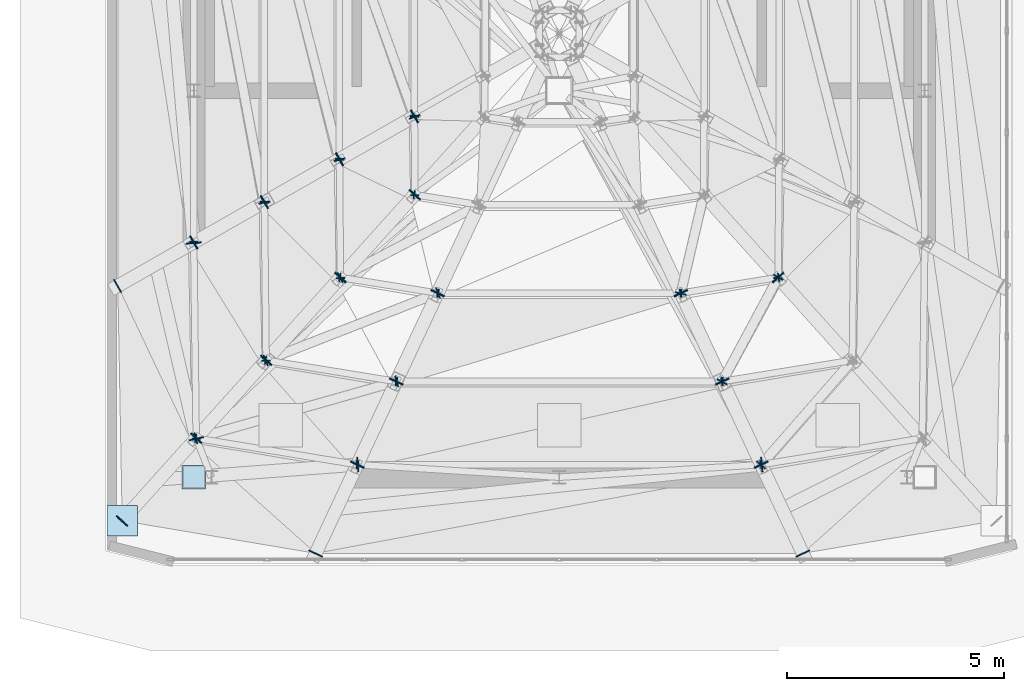
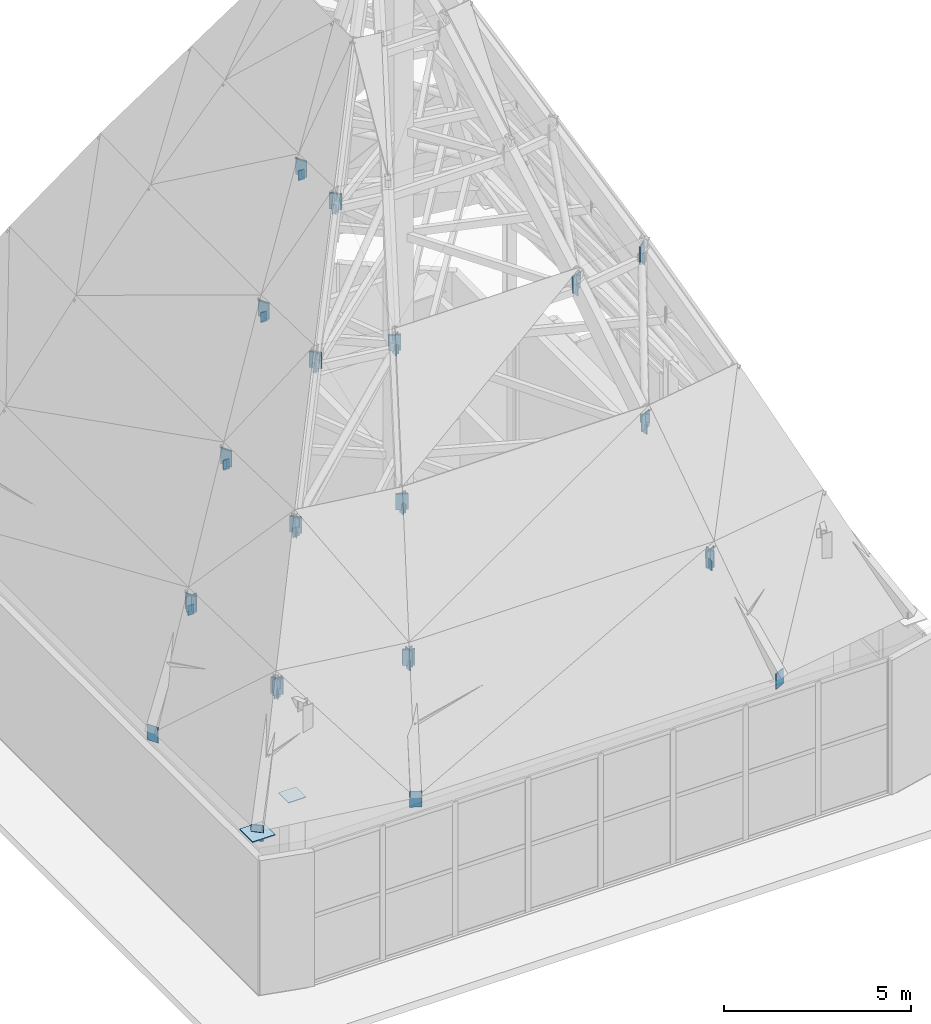
# One storey, part 20 of 30: 82 plates.
"""IFC4 building model written with IfcOpenShell, lengths in metres."""

from ifc_helpers import new_model, si_unit, direction, frame, origin, origin_2d, place, context, subcontext, project, spatial, rectangle, extrude, material, layer, layer_set, type_object, element, save


model = new_model("IFC4")

# Units and contexts
model_context = context("Model", 3, precision=1e-05, world=origin(), true_north=direction((0.0, 1.0)))
body_context = subcontext(model_context, "Body", "Model", "MODEL_VIEW")
ifc_project = project(units=[si_unit("LENGTHUNIT", "METRE"), si_unit("AREAUNIT", "SQUARE_METRE"), si_unit("VOLUMEUNIT", "CUBIC_METRE"), si_unit("PLANEANGLEUNIT", "RADIAN"), si_unit("MASSUNIT", "GRAM", prefix="KILO")], contexts=[model_context])

# Site, building, storey
site_placement = place(None, origin())
site = spatial("IfcSite", under=ifc_project, at=site_placement, CompositionType="ELEMENT")
building_placement = place(site_placement, origin())
building = spatial("IfcBuilding", under=site, at=building_placement, Name="Haolan Belvedere Tower", CompositionType="ELEMENT")
storey_placement = place(building_placement, frame((0.0, 0.0, 333.0)))
storey = spatial("IfcBuildingStorey", under=building, at=storey_placement, Name="L83", CompositionType="ELEMENT", Elevation=333.0)

# Plates
ifc_material = material(Name="Steel Q355B", Category="steel")
ifc_layer_1 = layer(ifc_material, 0.02490234375, Name="Steel Q355B")
ifc_layer_set_1 = layer_set([ifc_layer_1], Name="Steel Q355B")
plate_type_1 = type_object("IfcPlateType", Name="PL-CAP-25", PredefinedType="SHEET", material=ifc_layer_set_1)
plate_1_placement = place(storey_placement, frame((30.0, 26.39990234375, 4.800048828125), z_axis=(0.0, 0.0, 1.0), x_axis=(1.0, 0.0, 0.0)))
element("IfcPlate", 1, at=plate_1_placement, inside=storey, type_object=plate_type_1, Name="Hollow steel end-cap plate COL-L83-CC-CR-SW-TCAP", PredefinedType="SHEET", context=body_context, shape_type="SweptSolid", body=[
    extrude(rectangle(XDim=0.5400390625, YDim=0.5400390625, at=origin_2d()), origin(), (0.0, 0.0, 1.0), 0.02490234375),
])
for number, where, z_axis, x_axis, name in (
    (2, (33.767333984375, 26.689697265625, 7.57275390625), (0.0, 0.0, 1.0), (-0.074595829704, 0.997213849779, 0.0), "Hollow steel end-cap plate CRN-DRAF-T1-01-CAP1"),
    (3, (28.3447265625, 25.39404296875, 4.515625), (0.0, 0.0, 1.0), (0.744288234024, -0.667858536438, 0.0), "Hollow steel end-cap plate CRN-RAF-T1-01-CAP0"),
    (4, (30.056884765625, 27.30224609375, 7.57861328125), (0.0, 0.0, 1.0), (-0.744288234024, 0.667858536438, 0.0), "Hollow steel end-cap plate CRN-RAF-T1-01-CAP1"),
):
    element("IfcPlate", number, at=place(storey_placement, frame(where, z_axis=z_axis, x_axis=x_axis)), inside=storey, type_object=plate_type_1, Name=name, PredefinedType="SHEET", context=body_context, shape_type="SweptSolid", body=[
        extrude(rectangle(XDim=0.340087890625, YDim=0.02490234375, at=origin_2d()), origin(), (0.0, 0.0, 1.0), 0.510009765625),
    ])
for number, where, z_axis, x_axis, name in (
    (5, (30.0390625, 27.29833984375, 7.428955078125), (0.0, 0.0, 1.0), (-0.161827727401, -0.986819024261, 0.0), "Hollow steel end-cap plate CRN-RING-T1-01-CAP0"),
    (6, (33.767822265625, 26.686767578125, 7.428955078125), (0.0, 0.0, 1.0), (0.161827727401, 0.986819024261, 0.0), "Hollow steel end-cap plate CRN-RING-T1-01-CAP1"),
):
    element("IfcPlate", number, at=place(storey_placement, frame(where, z_axis=z_axis, x_axis=x_axis)), inside=storey, type_object=plate_type_1, Name=name, PredefinedType="SHEET", context=body_context, shape_type="SweptSolid", body=[
        extrude(rectangle(XDim=0.18994140625, YDim=0.02490234375, at=origin_2d()), origin(), (0.0, 0.0, 1.0), 0.31005859375),
    ])
for number, where, z_axis, x_axis, name in (
    (7, (43.056884765625, 26.690185546875, 7.57080078125), (0.0, 0.0, 1.0), (-0.103816771622, 0.994596439733, 0.0), "Hollow steel end-cap plate CRN-DRAF-T1-02-CAP1"),
    (8, (32.796875, 24.643310546875, 4.51513671875), (0.0, 0.0, 1.0), (0.905509560771, -0.424325859867, 0.0), "Hollow steel end-cap plate CRN-RAF-T1-02-CAP0"),
    (9, (33.758544921875, 26.695556640625, 7.5791015625), (0.0, 0.0, 1.0), (-0.905509560771, 0.424325859867, 0.0), "Hollow steel end-cap plate CRN-RAF-T1-02-CAP1"),
):
    element("IfcPlate", number, at=place(storey_placement, frame(where, z_axis=z_axis, x_axis=x_axis)), inside=storey, type_object=plate_type_1, Name=name, PredefinedType="SHEET", context=body_context, shape_type="SweptSolid", body=[
        extrude(rectangle(XDim=0.340087890625, YDim=0.02490234375, at=origin_2d()), origin(), (0.0, 0.0, 1.0), 0.510009765625),
    ])
for number, where, z_axis, x_axis, name in (
    (10, (33.742919921875, 26.688720703125, 7.428955078125), (0.0, 0.0, 1.0), (0.0, -1.0, 0.0), "Hollow steel end-cap plate CRN-RING-T1-02-CAP0"),
    (11, (43.05712890625, 26.688720703125, 7.428955078125), (0.0, 0.0, 1.0), (0.0, 1.0, 0.0), "Hollow steel end-cap plate CRN-RING-T1-02-CAP1"),
):
    element("IfcPlate", number, at=place(storey_placement, frame(where, z_axis=z_axis, x_axis=x_axis)), inside=storey, type_object=plate_type_1, Name=name, PredefinedType="SHEET", context=body_context, shape_type="SweptSolid", body=[
        extrude(rectangle(XDim=0.18994140625, YDim=0.02490234375, at=origin_2d()), origin(), (0.0, 0.0, 1.0), 0.31005859375),
    ])
for number, where, z_axis, x_axis, name in (
    (12, (44.003173828125, 24.643310546875, 4.51513671875), (0.0, 0.0, 1.0), (0.905509560771, 0.424325859867, 0.0), "Hollow steel end-cap plate CRN-RAF-T1-03-CAP0"),
    (13, (43.04150390625, 26.695556640625, 7.5791015625), (0.0, 0.0, 1.0), (-0.905509560771, -0.424325859867, 0.0), "Hollow steel end-cap plate CRN-RAF-T1-03-CAP1"),
):
    element("IfcPlate", number, at=place(storey_placement, frame(where, z_axis=z_axis, x_axis=x_axis)), inside=storey, type_object=plate_type_1, Name=name, PredefinedType="SHEET", context=body_context, shape_type="SweptSolid", body=[
        extrude(rectangle(XDim=0.340087890625, YDim=0.02490234375, at=origin_2d()), origin(), (0.0, 0.0, 1.0), 0.510009765625),
    ])
plate_2_placement = place(storey_placement, frame((43.0322265625, 26.686767578125, 7.428955078125), z_axis=(0.0, 0.0, 1.0), x_axis=(0.161827727401, -0.986819024261, 0.0)))
element("IfcPlate", 14, at=plate_2_placement, inside=storey, type_object=plate_type_1, Name="Hollow steel end-cap plate CRN-RING-T1-03-CAP0", PredefinedType="SHEET", context=body_context, shape_type="SweptSolid", body=[
    extrude(rectangle(XDim=0.18994140625, YDim=0.02490234375, at=origin_2d()), origin(), (0.0, 0.0, 1.0), 0.31005859375),
])
plate_3_placement = place(storey_placement, frame((29.99658203125, 31.78515625, 7.57080078125), z_axis=(0.0, 0.0, 1.0), x_axis=(0.996289928604, 0.086060317001, 0.0)))
element("IfcPlate", 15, at=plate_3_placement, inside=storey, type_object=plate_type_1, Name="Hollow steel end-cap plate CRN-DRAF-T1-11-CAP1", PredefinedType="SHEET", context=body_context, shape_type="SweptSolid", body=[
    extrude(rectangle(XDim=0.340087890625, YDim=0.02490234375, at=origin_2d()), origin(), (0.0, 0.0, 1.0), 0.510009765625),
])
plate_4_placement = place(storey_placement, frame((29.99560546875, 31.784912109375, 7.428955078125), z_axis=(0.0, 0.0, 1.0), x_axis=(1.0, 0.0, 0.0)))
element("IfcPlate", 16, at=plate_4_placement, inside=storey, type_object=plate_type_1, Name="Hollow steel end-cap plate CRN-RING-T1-11-CAP1", PredefinedType="SHEET", context=body_context, shape_type="SweptSolid", body=[
    extrude(rectangle(XDim=0.18994140625, YDim=0.02490234375, at=origin_2d()), origin(), (0.0, 0.0, 1.0), 0.31005859375),
])
for number, where, z_axis, x_axis, name in (
    (17, (30.05419921875, 27.28466796875, 7.5732421875), (0.0, 0.0, 1.0), (0.974122129213, 0.226022293985, 0.0), "Hollow steel end-cap plate CRN-DRAF-T1-12-CAP1"),
    (18, (28.244140625, 30.796630859375, 4.5146484375), (0.0, 0.0, 1.0), (0.496140737146, -0.868242114242, 0.0), "Hollow steel end-cap plate CRN-RAF-T1-12-CAP0"),
    (19, (30.00146484375, 31.801025390625, 7.57958984375), (0.0, 0.0, 1.0), (-0.496140737146, 0.868242114242, 0.0), "Hollow steel end-cap plate CRN-RAF-T1-12-CAP1"),
):
    element("IfcPlate", number, at=place(storey_placement, frame(where, z_axis=z_axis, x_axis=x_axis)), inside=storey, type_object=plate_type_1, Name=name, PredefinedType="SHEET", context=body_context, shape_type="SweptSolid", body=[
        extrude(rectangle(XDim=0.340087890625, YDim=0.02490234375, at=origin_2d()), origin(), (0.0, 0.0, 1.0), 0.510009765625),
    ])
for number, where, z_axis, x_axis, name in (
    (20, (29.995361328125, 31.81005859375, 7.428955078125), (0.0, 0.0, 1.0), (-0.999923005737, -0.012408972499, 0.0), "Hollow steel end-cap plate CRN-RING-T1-12-CAP0"),
    (21, (30.0517578125, 27.28369140625, 7.428955078125), (0.0, 0.0, 1.0), (0.999923005737, 0.012408972499, 0.0), "Hollow steel end-cap plate CRN-RING-T1-12-CAP1"),
):
    element("IfcPlate", number, at=place(storey_placement, frame(where, z_axis=z_axis, x_axis=x_axis)), inside=storey, type_object=plate_type_1, Name=name, PredefinedType="SHEET", context=body_context, shape_type="SweptSolid", body=[
        extrude(rectangle(XDim=0.18994140625, YDim=0.02490234375, at=origin_2d()), origin(), (0.0, 0.0, 1.0), 0.31005859375),
    ])
for number, where, z_axis, x_axis, name in (
    (22, (30.046875, 27.291015625, 7.55859375), (0.0, 0.0, 1.0), (0.744288234024, -0.667858536438, 0.0), "Hollow steel end-cap plate CRN-RAF-T2-01-CAP0"),
    (23, (31.6640625, 29.09326171875, 11.18603515625), (0.0, 0.0, 1.0), (-0.744288234024, 0.667858536438, 0.0), "Hollow steel end-cap plate CRN-RAF-T2-01-CAP1"),
):
    element("IfcPlate", number, at=place(storey_placement, frame(where, z_axis=z_axis, x_axis=x_axis)), inside=storey, type_object=plate_type_1, Name=name, PredefinedType="SHEET", context=body_context, shape_type="SweptSolid", body=[
        extrude(rectangle(XDim=0.340087890625, YDim=0.02490234375, at=origin_2d()), origin(), (0.0, 0.0, 1.0), 0.510009765625),
    ])
for number, where, z_axis, x_axis, name in (
    (24, (31.647216796875, 29.09033203125, 11.035400390625), (0.0, 0.0, 1.0), (-0.160794244392, -0.986987948746, 0.0), "Hollow steel end-cap plate CRN-RING-T2-01-CAP0"),
    (25, (34.663818359375, 28.598876953125, 11.035400390625), (0.0, 0.0, 1.0), (0.160794244392, 0.986987948746, 0.0), "Hollow steel end-cap plate CRN-RING-T2-01-CAP1"),
):
    element("IfcPlate", number, at=place(storey_placement, frame(where, z_axis=z_axis, x_axis=x_axis)), inside=storey, type_object=plate_type_1, Name=name, PredefinedType="SHEET", context=body_context, shape_type="SweptSolid", body=[
        extrude(rectangle(XDim=0.18994140625, YDim=0.02490234375, at=origin_2d()), origin(), (0.0, 0.0, 1.0), 0.31005859375),
    ])
for number, where, z_axis, x_axis, name in (
    (26, (30.04150390625, 27.29345703125, 7.77734375), (0.0, 0.0, 1.0), (0.272851190719, -0.962056249771, 0.0), "Hollow steel end-cap plate CRN-DIAG-T2-01-CAP0"),
    (27, (34.661376953125, 28.603515625, 11.09814453125), (0.0, 0.0, 1.0), (-0.272851190719, 0.962056249771, 0.0), "Hollow steel end-cap plate CRN-DIAG-T2-01-CAP1"),
):
    element("IfcPlate", number, at=place(storey_placement, frame(where, z_axis=z_axis, x_axis=x_axis)), inside=storey, type_object=plate_type_1, Name=name, PredefinedType="SHEET", context=body_context, shape_type="SweptSolid", body=[
        extrude(rectangle(XDim=0.259033203125, YDim=0.02490234375, at=origin_2d()), origin(), (0.0, 0.0, 1.0), 0.279052734375),
    ])
for number, where, z_axis, x_axis, name in (
    (28, (33.752685546875, 26.68310546875, 7.55810546875), (0.0, 0.0, 1.0), (0.90550215475, -0.424341663926, 0.0), "Hollow steel end-cap plate CRN-RAF-T2-02-CAP0"),
    (29, (34.654052734375, 28.6064453125, 11.1865234375), (0.0, 0.0, 1.0), (-0.90550215475, 0.424341663926, 0.0), "Hollow steel end-cap plate CRN-RAF-T2-02-CAP1"),
):
    element("IfcPlate", number, at=place(storey_placement, frame(where, z_axis=z_axis, x_axis=x_axis)), inside=storey, type_object=plate_type_1, Name=name, PredefinedType="SHEET", context=body_context, shape_type="SweptSolid", body=[
        extrude(rectangle(XDim=0.340087890625, YDim=0.02490234375, at=origin_2d()), origin(), (0.0, 0.0, 1.0), 0.510009765625),
    ])
for number, where, z_axis, x_axis, name in (
    (30, (34.638916015625, 28.600830078125, 11.035400390625), (0.0, 0.0, 1.0), (0.0, -1.0, 0.0), "Hollow steel end-cap plate CRN-RING-T2-02-CAP0"),
    (31, (42.1611328125, 28.600830078125, 11.035400390625), (0.0, 0.0, 1.0), (0.0, 1.0, 0.0), "Hollow steel end-cap plate CRN-RING-T2-02-CAP1"),
):
    element("IfcPlate", number, at=place(storey_placement, frame(where, z_axis=z_axis, x_axis=x_axis)), inside=storey, type_object=plate_type_1, Name=name, PredefinedType="SHEET", context=body_context, shape_type="SweptSolid", body=[
        extrude(rectangle(XDim=0.18994140625, YDim=0.02490234375, at=origin_2d()), origin(), (0.0, 0.0, 1.0), 0.31005859375),
    ])
for number, where, z_axis, x_axis, name in (
    (32, (43.04736328125, 26.68310546875, 7.55810546875), (0.0, 0.0, 1.0), (0.90550215475, 0.424341663926, 0.0), "Hollow steel end-cap plate CRN-RAF-T2-03-CAP0"),
    (33, (42.14599609375, 28.6064453125, 11.1865234375), (0.0, 0.0, 1.0), (-0.90550215475, -0.424341663926, 0.0), "Hollow steel end-cap plate CRN-RAF-T2-03-CAP1"),
):
    element("IfcPlate", number, at=place(storey_placement, frame(where, z_axis=z_axis, x_axis=x_axis)), inside=storey, type_object=plate_type_1, Name=name, PredefinedType="SHEET", context=body_context, shape_type="SweptSolid", body=[
        extrude(rectangle(XDim=0.340087890625, YDim=0.02490234375, at=origin_2d()), origin(), (0.0, 0.0, 1.0), 0.510009765625),
    ])
plate_5_placement = place(storey_placement, frame((42.13623046875, 28.598876953125, 11.035400390625), z_axis=(0.0, 0.0, 1.0), x_axis=(0.160794244392, -0.986987948746, 0.0)))
element("IfcPlate", 34, at=plate_5_placement, inside=storey, type_object=plate_type_1, Name="Hollow steel end-cap plate CRN-RING-T2-03-CAP0", PredefinedType="SHEET", context=body_context, shape_type="SweptSolid", body=[
    extrude(rectangle(XDim=0.18994140625, YDim=0.02490234375, at=origin_2d()), origin(), (0.0, 0.0, 1.0), 0.31005859375),
])
plate_6_placement = place(storey_placement, frame((43.038818359375, 26.682373046875, 7.775390625), z_axis=(0.0, 0.0, 1.0), x_axis=(0.753127238826, -0.657874883347, 0.0)))
element("IfcPlate", 35, at=plate_6_placement, inside=storey, type_object=plate_type_1, Name="Hollow steel end-cap plate CRN-DIAG-T2-03-CAP0", PredefinedType="SHEET", context=body_context, shape_type="SweptSolid", body=[
    extrude(rectangle(XDim=0.259033203125, YDim=0.02490234375, at=origin_2d()), origin(), (0.0, 0.0, 1.0), 0.279052734375),
])
plate_7_placement = place(storey_placement, frame((31.61962890625, 32.712890625, 11.035400390625), z_axis=(0.0, 0.0, 1.0), x_axis=(1.0, 0.0, 0.0)))
element("IfcPlate", 36, at=plate_7_placement, inside=storey, type_object=plate_type_1, Name="Hollow steel end-cap plate CRN-RING-T2-11-CAP1", PredefinedType="SHEET", context=body_context, shape_type="SweptSolid", body=[
    extrude(rectangle(XDim=0.18994140625, YDim=0.02490234375, at=origin_2d()), origin(), (0.0, 0.0, 1.0), 0.31005859375),
])
plate_8_placement = place(storey_placement, frame((31.621826171875, 32.714111328125, 11.09521484375), z_axis=(0.0, 0.0, 1.0), x_axis=(0.982932138443, 0.183968506043, 0.0)))
element("IfcPlate", 37, at=plate_8_placement, inside=storey, type_object=plate_type_1, Name="Hollow steel end-cap plate CRN-DIAG-T2-11-CAP1", PredefinedType="SHEET", context=body_context, shape_type="SweptSolid", body=[
    extrude(rectangle(XDim=0.259033203125, YDim=0.02490234375, at=origin_2d()), origin(), (0.0, 0.0, 1.0), 0.279052734375),
])
for number, where, z_axis, x_axis, name in (
    (38, (29.990478515625, 31.794677734375, 7.55810546875), (0.0, 0.0, 1.0), (0.496140737146, -0.868242114242, 0.0), "Hollow steel end-cap plate CRN-RAF-T2-12-CAP0"),
    (39, (31.62451171875, 32.728271484375, 11.1865234375), (0.0, 0.0, 1.0), (-0.496140737146, 0.868242114242, 0.0), "Hollow steel end-cap plate CRN-RAF-T2-12-CAP1"),
):
    element("IfcPlate", number, at=place(storey_placement, frame(where, z_axis=z_axis, x_axis=x_axis)), inside=storey, type_object=plate_type_1, Name=name, PredefinedType="SHEET", context=body_context, shape_type="SweptSolid", body=[
        extrude(rectangle(XDim=0.340087890625, YDim=0.02490234375, at=origin_2d()), origin(), (0.0, 0.0, 1.0), 0.510009765625),
    ])
for number, where, z_axis, x_axis, name in (
    (40, (31.619384765625, 32.738037109375, 11.035400390625), (0.0, 0.0, 1.0), (-0.999939932483, -0.010960448242, 0.0), "Hollow steel end-cap plate CRN-RING-T2-12-CAP0"),
    (41, (31.65966796875, 29.07568359375, 11.035400390625), (0.0, 0.0, 1.0), (0.999939932483, 0.010960448242, 0.0), "Hollow steel end-cap plate CRN-RING-T2-12-CAP1"),
):
    element("IfcPlate", number, at=place(storey_placement, frame(where, z_axis=z_axis, x_axis=x_axis)), inside=storey, type_object=plate_type_1, Name=name, PredefinedType="SHEET", context=body_context, shape_type="SweptSolid", body=[
        extrude(rectangle(XDim=0.18994140625, YDim=0.02490234375, at=origin_2d()), origin(), (0.0, 0.0, 1.0), 0.31005859375),
    ])
for number, where, z_axis, x_axis, name in (
    (42, (31.65478515625, 29.082763671875, 11.16552734375), (0.0, 0.0, 1.0), (0.744288234024, -0.667858536438, 0.0), "Hollow steel end-cap plate CRN-RAF-T3-01-CAP0"),
    (43, (33.372802734375, 30.99755859375, 14.79736328125), (0.0, 0.0, 1.0), (-0.744288234024, 0.667858536438, 0.0), "Hollow steel end-cap plate CRN-RAF-T3-01-CAP1"),
):
    element("IfcPlate", number, at=place(storey_placement, frame(where, z_axis=z_axis, x_axis=x_axis)), inside=storey, type_object=plate_type_1, Name=name, PredefinedType="SHEET", context=body_context, shape_type="SweptSolid", body=[
        extrude(rectangle(XDim=0.340087890625, YDim=0.02490234375, at=origin_2d()), origin(), (0.0, 0.0, 1.0), 0.510009765625),
    ])
for number, where, z_axis, x_axis, name in (
    (44, (33.355712890625, 30.994140625, 14.64697265625), (0.0, 0.0, 1.0), (-0.15895076281, -0.987286511101, 0.0), "Hollow steel end-cap plate CRN-RING-T3-01-CAP0"),
    (45, (35.61572265625, 30.63037109375, 14.64697265625), (0.0, 0.0, 1.0), (0.15895076281, 0.987286511101, 0.0), "Hollow steel end-cap plate CRN-RING-T3-01-CAP1"),
):
    element("IfcPlate", number, at=place(storey_placement, frame(where, z_axis=z_axis, x_axis=x_axis)), inside=storey, type_object=plate_type_1, Name=name, PredefinedType="SHEET", context=body_context, shape_type="SweptSolid", body=[
        extrude(rectangle(XDim=0.18994140625, YDim=0.02490234375, at=origin_2d()), origin(), (0.0, 0.0, 1.0), 0.31005859375),
    ])
for number, where, z_axis, x_axis, name in (
    (46, (31.650390625, 29.084716796875, 11.38330078125), (0.0, 0.0, 1.0), (0.36456801448, -0.931176762391, 0.0), "Hollow steel end-cap plate CRN-DIAG-T3-01-CAP0"),
    (47, (35.612548828125, 30.635986328125, 14.7099609375), (0.0, 0.0, 1.0), (-0.36456801448, 0.931176762391, 0.0), "Hollow steel end-cap plate CRN-DIAG-T3-01-CAP1"),
):
    element("IfcPlate", number, at=place(storey_placement, frame(where, z_axis=z_axis, x_axis=x_axis)), inside=storey, type_object=plate_type_1, Name=name, PredefinedType="SHEET", context=body_context, shape_type="SweptSolid", body=[
        extrude(rectangle(XDim=0.259033203125, YDim=0.02490234375, at=origin_2d()), origin(), (0.0, 0.0, 1.0), 0.279052734375),
    ])
for number, where, z_axis, x_axis, name in (
    (48, (34.648681640625, 28.5947265625, 11.1650390625), (0.0, 0.0, 1.0), (0.90550215475, -0.424341663926, 0.0), "Hollow steel end-cap plate CRN-RAF-T3-02-CAP0"),
    (49, (35.606201171875, 30.63818359375, 14.7978515625), (0.0, 0.0, 1.0), (-0.90550215475, 0.424341663926, 0.0), "Hollow steel end-cap plate CRN-RAF-T3-02-CAP1"),
):
    element("IfcPlate", number, at=place(storey_placement, frame(where, z_axis=z_axis, x_axis=x_axis)), inside=storey, type_object=plate_type_1, Name=name, PredefinedType="SHEET", context=body_context, shape_type="SweptSolid", body=[
        extrude(rectangle(XDim=0.340087890625, YDim=0.02490234375, at=origin_2d()), origin(), (0.0, 0.0, 1.0), 0.510009765625),
    ])
for number, where, z_axis, x_axis, name in (
    (50, (35.5908203125, 30.63232421875, 14.64697265625), (0.0, 0.0, 1.0), (0.0, -1.0, 0.0), "Hollow steel end-cap plate CRN-RING-T3-02-CAP0"),
    (51, (41.208984375, 30.63232421875, 14.64697265625), (0.0, 0.0, 1.0), (0.0, 1.0, 0.0), "Hollow steel end-cap plate CRN-RING-T3-02-CAP1"),
):
    element("IfcPlate", number, at=place(storey_placement, frame(where, z_axis=z_axis, x_axis=x_axis)), inside=storey, type_object=plate_type_1, Name=name, PredefinedType="SHEET", context=body_context, shape_type="SweptSolid", body=[
        extrude(rectangle(XDim=0.18994140625, YDim=0.02490234375, at=origin_2d()), origin(), (0.0, 0.0, 1.0), 0.31005859375),
    ])
for number, where, z_axis, x_axis, name in (
    (52, (42.1513671875, 28.5947265625, 11.1650390625), (0.0, 0.0, 1.0), (0.90550215475, 0.424341663926, 0.0), "Hollow steel end-cap plate CRN-RAF-T3-03-CAP0"),
    (53, (41.19384765625, 30.63818359375, 14.7978515625), (0.0, 0.0, 1.0), (-0.90550215475, -0.424341663926, 0.0), "Hollow steel end-cap plate CRN-RAF-T3-03-CAP1"),
):
    element("IfcPlate", number, at=place(storey_placement, frame(where, z_axis=z_axis, x_axis=x_axis)), inside=storey, type_object=plate_type_1, Name=name, PredefinedType="SHEET", context=body_context, shape_type="SweptSolid", body=[
        extrude(rectangle(XDim=0.340087890625, YDim=0.02490234375, at=origin_2d()), origin(), (0.0, 0.0, 1.0), 0.510009765625),
    ])
for number, where, z_axis, x_axis, name in (
    (54, (41.184326171875, 30.63037109375, 14.64697265625), (0.0, 0.0, 1.0), (0.15895076281, -0.987286511101, 0.0), "Hollow steel end-cap plate CRN-RING-T3-03-CAP0"),
    (55, (43.4443359375, 30.994140625, 14.64697265625), (0.0, 0.0, 1.0), (-0.15895076281, 0.987286511101, 0.0), "Hollow steel end-cap plate CRN-RING-T3-03-CAP1"),
):
    element("IfcPlate", number, at=place(storey_placement, frame(where, z_axis=z_axis, x_axis=x_axis)), inside=storey, type_object=plate_type_1, Name=name, PredefinedType="SHEET", context=body_context, shape_type="SweptSolid", body=[
        extrude(rectangle(XDim=0.18994140625, YDim=0.02490234375, at=origin_2d()), origin(), (0.0, 0.0, 1.0), 0.31005859375),
    ])
for number, where, z_axis, x_axis, name in (
    (56, (42.144775390625, 28.59375, 11.38134765625), (0.0, 0.0, 1.0), (0.881130193972, -0.472873747707, 0.0), "Hollow steel end-cap plate CRN-DIAG-T3-03-CAP0"),
    (57, (43.435791015625, 30.999267578125, 14.7119140625), (0.0, 0.0, 1.0), (-0.881130193972, 0.472873747707, 0.0), "Hollow steel end-cap plate CRN-DIAG-T3-03-CAP1"),
):
    element("IfcPlate", number, at=place(storey_placement, frame(where, z_axis=z_axis, x_axis=x_axis)), inside=storey, type_object=plate_type_1, Name=name, PredefinedType="SHEET", context=body_context, shape_type="SweptSolid", body=[
        extrude(rectangle(XDim=0.259033203125, YDim=0.02490234375, at=origin_2d()), origin(), (0.0, 0.0, 1.0), 0.279052734375),
    ])
plate_9_placement = place(storey_placement, frame((43.42724609375, 30.99755859375, 14.79736328125), z_axis=(0.0, 0.0, 1.0), x_axis=(-0.744288234024, -0.667858536438, 0.0)))
element("IfcPlate", 58, at=plate_9_placement, inside=storey, type_object=plate_type_1, Name="Hollow steel end-cap plate CRN-RAF-T3-04-CAP1", PredefinedType="SHEET", context=body_context, shape_type="SweptSolid", body=[
    extrude(rectangle(XDim=0.340087890625, YDim=0.02490234375, at=origin_2d()), origin(), (0.0, 0.0, 1.0), 0.510009765625),
])
for number, where, z_axis, x_axis, name in (
    (59, (43.431884765625, 30.979736328125, 14.64697265625), (0.0, 0.0, 1.0), (0.99996461524, -0.00841238777, 0.0), "Hollow steel end-cap plate CRN-RING-T3-04-CAP0"),
    (60, (33.34521484375, 33.698974609375, 14.64697265625), (0.0, 0.0, 1.0), (1.0, 0.0, 0.0), "Hollow steel end-cap plate CRN-RING-T3-11-CAP1"),
):
    element("IfcPlate", number, at=place(storey_placement, frame(where, z_axis=z_axis, x_axis=x_axis)), inside=storey, type_object=plate_type_1, Name=name, PredefinedType="SHEET", context=body_context, shape_type="SweptSolid", body=[
        extrude(rectangle(XDim=0.18994140625, YDim=0.02490234375, at=origin_2d()), origin(), (0.0, 0.0, 1.0), 0.31005859375),
    ])
plate_10_placement = place(storey_placement, frame((33.347900390625, 33.700439453125, 14.7080078125), z_axis=(0.0, 0.0, 1.0), x_axis=(0.968959664166, 0.247218869058, 0.0)))
element("IfcPlate", 61, at=plate_10_placement, inside=storey, type_object=plate_type_1, Name="Hollow steel end-cap plate CRN-DIAG-T3-11-CAP1", PredefinedType="SHEET", context=body_context, shape_type="SweptSolid", body=[
    extrude(rectangle(XDim=0.259033203125, YDim=0.02490234375, at=origin_2d()), origin(), (0.0, 0.0, 1.0), 0.279052734375),
])
for number, where, z_axis, x_axis, name in (
    (62, (31.6142578125, 32.722412109375, 11.16455078125), (0.0, 0.0, 1.0), (0.496140737146, -0.868242114242, 0.0), "Hollow steel end-cap plate CRN-RAF-T3-12-CAP0"),
    (63, (33.350341796875, 33.714599609375, 14.7978515625), (0.0, 0.0, 1.0), (-0.496140737146, 0.868242114242, 0.0), "Hollow steel end-cap plate CRN-RAF-T3-12-CAP1"),
):
    element("IfcPlate", number, at=place(storey_placement, frame(where, z_axis=z_axis, x_axis=x_axis)), inside=storey, type_object=plate_type_1, Name=name, PredefinedType="SHEET", context=body_context, shape_type="SweptSolid", body=[
        extrude(rectangle(XDim=0.340087890625, YDim=0.02490234375, at=origin_2d()), origin(), (0.0, 0.0, 1.0), 0.510009765625),
    ])
for number, where, z_axis, x_axis, name in (
    (64, (33.344970703125, 33.72412109375, 14.64697265625), (0.0, 0.0, 1.0), (-0.99996461524, -0.00841238777, 0.0), "Hollow steel end-cap plate CRN-RING-T3-12-CAP0"),
    (65, (33.3681640625, 30.979736328125, 14.64697265625), (0.0, 0.0, 1.0), (0.99996461524, 0.00841238777, 0.0), "Hollow steel end-cap plate CRN-RING-T3-12-CAP1"),
):
    element("IfcPlate", number, at=place(storey_placement, frame(where, z_axis=z_axis, x_axis=x_axis)), inside=storey, type_object=plate_type_1, Name=name, PredefinedType="SHEET", context=body_context, shape_type="SweptSolid", body=[
        extrude(rectangle(XDim=0.18994140625, YDim=0.02490234375, at=origin_2d()), origin(), (0.0, 0.0, 1.0), 0.31005859375),
    ])
for number, where, z_axis, x_axis, name in (
    (66, (33.363037109375, 30.986572265625, 14.77685546875), (0.0, 0.0, 1.0), (0.744288234024, -0.667858536438, 0.0), "Hollow steel end-cap plate CRN-RAF-T4-01-CAP0"),
    (67, (35.08154296875, 32.90185546875, 18.21875), (0.0, 0.0, 1.0), (-0.744288234024, 0.667858536438, 0.0), "Hollow steel end-cap plate CRN-RAF-T4-01-CAP1"),
):
    element("IfcPlate", number, at=place(storey_placement, frame(where, z_axis=z_axis, x_axis=x_axis)), inside=storey, type_object=plate_type_1, Name=name, PredefinedType="SHEET", context=body_context, shape_type="SweptSolid", body=[
        extrude(rectangle(XDim=0.340087890625, YDim=0.02490234375, at=origin_2d()), origin(), (0.0, 0.0, 1.0), 0.510009765625),
    ])
plate_11_placement = place(storey_placement, frame((35.064208984375, 32.898193359375, 18.06884765625), z_axis=(0.0, 0.0, 1.0), x_axis=(-0.155244901357, -0.987876014793, 0.0)))
element("IfcPlate", 68, at=plate_11_placement, inside=storey, type_object=plate_type_1, Name="Hollow steel end-cap plate CRN-RING-T4-01-CAP0", PredefinedType="SHEET", context=body_context, shape_type="SweptSolid", body=[
    extrude(rectangle(XDim=0.18994140625, YDim=0.02490234375, at=origin_2d()), origin(), (0.0, 0.0, 1.0), 0.31005859375),
])
plate_12_placement = place(storey_placement, frame((33.359619140625, 30.98779296875, 14.994140625), z_axis=(0.0, 0.0, 1.0), x_axis=(0.464440218995, -0.885604473216, 0.0)))
element("IfcPlate", 69, at=plate_12_placement, inside=storey, type_object=plate_type_1, Name="Hollow steel end-cap plate CRN-DIAG-T4-01-CAP0", PredefinedType="SHEET", context=body_context, shape_type="SweptSolid", body=[
    extrude(rectangle(XDim=0.259033203125, YDim=0.02490234375, at=origin_2d()), origin(), (0.0, 0.0, 1.0), 0.279052734375),
])
for number, where, z_axis, x_axis, name in (
    (70, (35.6005859375, 30.6259765625, 14.7763671875), (0.0, 0.0, 1.0), (0.90550215475, -0.424341663926, 0.0), "Hollow steel end-cap plate CRN-RAF-T4-02-CAP0"),
    (71, (41.199462890625, 30.6259765625, 14.7763671875), (0.0, 0.0, 1.0), (0.90550215475, 0.424341663926, 0.0), "Hollow steel end-cap plate CRN-RAF-T4-03-CAP0"),
):
    element("IfcPlate", number, at=place(storey_placement, frame(where, z_axis=z_axis, x_axis=x_axis)), inside=storey, type_object=plate_type_1, Name=name, PredefinedType="SHEET", context=body_context, shape_type="SweptSolid", body=[
        extrude(rectangle(XDim=0.340087890625, YDim=0.02490234375, at=origin_2d()), origin(), (0.0, 0.0, 1.0), 0.510009765625),
    ])
plate_13_placement = place(storey_placement, frame((41.19482421875, 30.625, 14.99267578125), z_axis=(0.0, 0.0, 1.0), x_axis=(0.973968055063, -0.226685305474, 0.0)))
element("IfcPlate", 72, at=plate_13_placement, inside=storey, type_object=plate_type_1, Name="Hollow steel end-cap plate CRN-DIAG-T4-03-CAP0", PredefinedType="SHEET", context=body_context, shape_type="SweptSolid", body=[
    extrude(rectangle(XDim=0.259033203125, YDim=0.02490234375, at=origin_2d()), origin(), (0.0, 0.0, 1.0), 0.279052734375),
])
plate_14_placement = place(storey_placement, frame((43.43701171875, 30.986572265625, 14.77685546875), z_axis=(0.0, 0.0, 1.0), x_axis=(0.744288234024, 0.667858536438, 0.0)))
element("IfcPlate", 73, at=plate_14_placement, inside=storey, type_object=plate_type_1, Name="Hollow steel end-cap plate CRN-RAF-T4-04-CAP0", PredefinedType="SHEET", context=body_context, shape_type="SweptSolid", body=[
    extrude(rectangle(XDim=0.340087890625, YDim=0.02490234375, at=origin_2d()), origin(), (0.0, 0.0, 1.0), 0.510009765625),
])
plate_15_placement = place(storey_placement, frame((35.070556640625, 34.68505859375, 18.06884765625), z_axis=(0.0, 0.0, 1.0), x_axis=(1.0, 0.0, 0.0)))
element("IfcPlate", 74, at=plate_15_placement, inside=storey, type_object=plate_type_1, Name="Hollow steel end-cap plate CRN-RING-T4-11-CAP1", PredefinedType="SHEET", context=body_context, shape_type="SweptSolid", body=[
    extrude(rectangle(XDim=0.18994140625, YDim=0.02490234375, at=origin_2d()), origin(), (0.0, 0.0, 1.0), 0.31005859375),
])
plate_16_placement = place(storey_placement, frame((35.07421875, 34.6875, 18.130859375), z_axis=(0.0, 0.0, 1.0), x_axis=(0.940839377288, 0.338852867988, 0.0)))
element("IfcPlate", 75, at=plate_16_placement, inside=storey, type_object=plate_type_1, Name="Hollow steel end-cap plate CRN-DIAG-T4-11-CAP1", PredefinedType="SHEET", context=body_context, shape_type="SweptSolid", body=[
    extrude(rectangle(XDim=0.259033203125, YDim=0.02490234375, at=origin_2d()), origin(), (0.0, 0.0, 1.0), 0.279052734375),
])
for number, where, z_axis, x_axis, name in (
    (76, (33.339599609375, 33.70849609375, 14.7763671875), (0.0, 0.0, 1.0), (0.496140737146, -0.868242114242, 0.0), "Hollow steel end-cap plate CRN-RAF-T4-12-CAP0"),
    (77, (35.076171875, 34.70068359375, 18.2197265625), (0.0, 0.0, 1.0), (-0.496140737146, 0.868242114242, 0.0), "Hollow steel end-cap plate CRN-RAF-T4-12-CAP1"),
):
    element("IfcPlate", number, at=place(storey_placement, frame(where, z_axis=z_axis, x_axis=x_axis)), inside=storey, type_object=plate_type_1, Name=name, PredefinedType="SHEET", context=body_context, shape_type="SweptSolid", body=[
        extrude(rectangle(XDim=0.340087890625, YDim=0.02490234375, at=origin_2d()), origin(), (0.0, 0.0, 1.0), 0.510009765625),
    ])
for number, where, z_axis, x_axis, name in (
    (78, (35.070556640625, 34.7099609375, 18.06884765625), (0.0, 0.0, 1.0), (-0.999994616806, -0.003281213106, 0.0), "Hollow steel end-cap plate CRN-RING-T4-12-CAP0"),
    (79, (35.07666015625, 32.8837890625, 18.06884765625), (0.0, 0.0, 1.0), (0.999994616806, 0.003281213106, 0.0), "Hollow steel end-cap plate CRN-RING-T4-12-CAP1"),
):
    element("IfcPlate", number, at=place(storey_placement, frame(where, z_axis=z_axis, x_axis=x_axis)), inside=storey, type_object=plate_type_1, Name=name, PredefinedType="SHEET", context=body_context, shape_type="SweptSolid", body=[
        extrude(rectangle(XDim=0.18994140625, YDim=0.02490234375, at=origin_2d()), origin(), (0.0, 0.0, 1.0), 0.31005859375),
    ])
for number, where, z_axis, x_axis, name in (
    (80, (35.071533203125, 32.890625, 18.19873046875), (0.0, 0.0, 1.0), (0.744288234024, -0.667858536438, 0.0), "Hollow steel end-cap plate CRN-RAF-T5-01-CAP0"),
    (81, (35.065185546875, 34.6943359375, 18.1982421875), (0.0, 0.0, 1.0), (0.496140737146, -0.868242114242, 0.0), "Hollow steel end-cap plate CRN-RAF-T5-12-CAP0"),
):
    element("IfcPlate", number, at=place(storey_placement, frame(where, z_axis=z_axis, x_axis=x_axis)), inside=storey, type_object=plate_type_1, Name=name, PredefinedType="SHEET", context=body_context, shape_type="SweptSolid", body=[
        extrude(rectangle(XDim=0.340087890625, YDim=0.02490234375, at=origin_2d()), origin(), (0.0, 0.0, 1.0), 0.510009765625),
    ])
ifc_layer_2 = layer(ifc_material, 0.030029296875, Name="Steel Q355B")
ifc_layer_set_2 = layer_set([ifc_layer_2], Name="Steel Q355B")
plate_type_2 = type_object("IfcPlateType", Name="PL-NODE-NP04", PredefinedType="USERDEFINED", material=ifc_layer_set_2)
plate_17_placement = place(storey_placement, frame((28.35009765625, 25.39990234375, 4.77490234375), z_axis=(0.0, 0.0, 1.0), x_axis=(1.0, 0.0, 0.0)))
element("IfcPlate", 82, at=plate_17_placement, inside=storey, type_object=plate_type_2, Name="NP-04 crown hip base node plate 00", ObjectType="GUSSET", PredefinedType="USERDEFINED", context=body_context, shape_type="SweptSolid", body=[
    extrude(rectangle(XDim=0.699951171875, YDim=0.699951171875, at=origin_2d()), origin(), (0.0, 0.0, 1.0), 0.030029296875),
])

save(model, "model.ifc")
